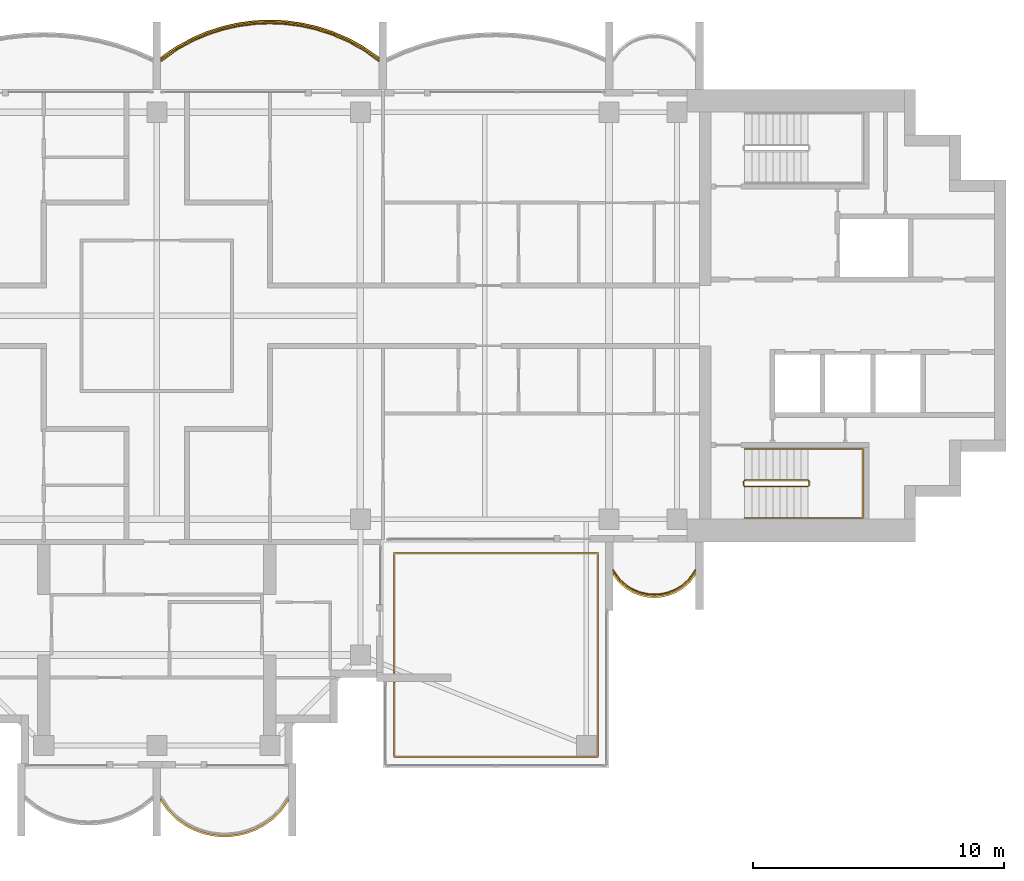
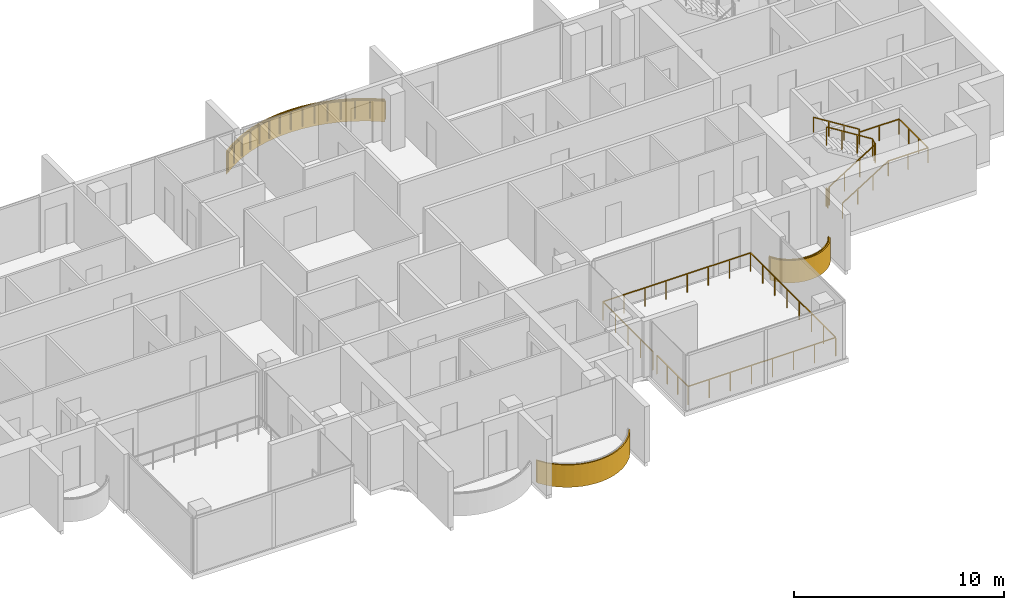
# One storey, part 15 of 16: 5 railings, 3 coverings.
"""IFC4 building model written with IfcOpenShell, lengths in metres."""

from ifc_helpers import new_model, si_unit, direction, frame, origin, origin_2d, place, context, subcontext, project, spatial, polyline, rectangle, outline, extrude, material, layer, layer_set, type_object, element, save


model = new_model("IFC4")

# Units and contexts
model_context = context("Model", 3, precision=1e-05, world=origin(), true_north=direction((0.0, 1.0)))
body_context = subcontext(model_context, "Body", "Model", "MODEL_VIEW")
ifc_project = project(units=[si_unit("LENGTHUNIT", "METRE"), si_unit("AREAUNIT", "SQUARE_METRE"), si_unit("VOLUMEUNIT", "CUBIC_METRE"), si_unit("PLANEANGLEUNIT", "RADIAN"), si_unit("MASSUNIT", "GRAM", prefix="KILO")], contexts=[model_context])

# Site, building, storey
site_placement = place(None, origin())
site = spatial("IfcSite", under=ifc_project, at=site_placement, CompositionType="ELEMENT")
building_placement = place(site_placement, origin())
building = spatial("IfcBuilding", under=site, at=building_placement, Name="Perihelion Cross Residences", CompositionType="ELEMENT")
storey_placement = place(building_placement, frame((0.0, 0.0, 243.0)))
storey = spatial("IfcBuildingStorey", under=building, at=storey_placement, Name="L61", CompositionType="ELEMENT", Elevation=243.0)

# Coverings
ifc_material_1 = material(Name="Bronze anodised aluminium", Category="aluminium")
ifc_layer = layer(ifc_material_1, 0.070068359375)
ifc_layer_set = layer_set([ifc_layer], Name="Balcony fascia 1300")
covering_type = type_object("IfcCoveringType", Name="Balcony fascia 1300", PredefinedType="CLADDING", material=ifc_layer_set)
covering_1_placement = place(storey_placement, frame((0.0, 0.0, -0.199951171875)))
element("IfcCovering", 1, at=covering_1_placement, inside=storey, type_object=covering_type, Name="Fascia BF1 L61 north side east bay 1", PredefinedType="CLADDING", context=body_context, shape_type="SweptSolid", body=[
    extrude(outline(polyline([(8.265625, 10.694091796875), (7.637939453125, 11.0419921875), (7.010498046875, 11.313232421875), (6.3828125, 11.516845703125), (5.755126953125, 11.65869140625), (5.127685546875, 11.742431640625), (4.5, 11.77001953125), (3.872314453125, 11.742431640625), (3.244873046875, 11.65869140625), (2.6171875, 11.516845703125), (1.989501953125, 11.313232421875), (1.362060546875, 11.0419921875), (0.734375, 10.694091796875), (0.14990234375, 10.285400390625), (0.14990234375, 10.199951171875), (0.771484375, 10.634765625), (1.392822265625, 10.979248046875), (2.014404296875, 11.247802734375), (2.6357421875, 11.44921875), (3.257080078125, 11.589599609375), (3.878662109375, 11.672607421875), (4.5, 11.699951171875), (5.121337890625, 11.672607421875), (5.742919921875, 11.589599609375), (6.3642578125, 11.44921875), (6.985595703125, 11.247802734375), (7.607177734375, 10.979248046875), (8.228515625, 10.634765625), (8.85009765625, 10.199951171875), (8.85009765625, 10.285400390625), (8.265625, 10.694091796875)])), origin(), (0.0, 0.0, 1.0), 1.300048828125),
])
covering_2_placement = place(storey_placement, frame((0.0, 0.0, -0.199951171875)))
element("IfcCovering", 2, at=covering_2_placement, inside=storey, type_object=covering_type, Name="Fascia BF1 L61 south tip south bay 2", PredefinedType="CLADDING", context=body_context, shape_type="SweptSolid", body=[
    extrude(outline(polyline([(0.43701171875, -19.722412109375), (0.78515625, -20.060791015625), (1.13330078125, -20.308837890625), (1.4814453125, -20.4912109375), (1.82958984375, -20.620361328125), (2.177734375, -20.703369140625), (2.52587890625, -20.743896484375), (2.8740234375, -20.743896484375), (3.22216796875, -20.703369140625), (3.5703125, -20.620361328125), (3.91845703125, -20.4912109375), (4.2666015625, -20.308837890625), (4.61474609375, -20.060791015625), (4.963134765625, -19.722412109375), (5.25, -19.320556640625), (5.25, -19.199951171875), (4.909912109375, -19.6767578125), (4.570068359375, -20.007080078125), (4.22998046875, -20.2490234375), (3.889892578125, -20.42724609375), (3.550048828125, -20.553466796875), (3.2099609375, -20.63427734375), (2.8701171875, -20.674072265625), (2.530029296875, -20.674072265625), (2.18994140625, -20.63427734375), (1.85009765625, -20.553466796875), (1.510009765625, -20.42724609375), (1.169921875, -20.2490234375), (0.830078125, -20.007080078125), (0.489990234375, -19.6767578125), (0.14990234375, -19.199951171875), (0.14990234375, -19.320556640625), (0.43701171875, -19.722412109375)])), origin(), (0.0, 0.0, 1.0), 1.300048828125),
])
covering_3_placement = place(storey_placement, frame((0.0, 0.0, -0.199951171875)))
element("IfcCovering", 3, at=covering_3_placement, inside=storey, type_object=covering_type, Name="Fascia BF1 L61 east side south bay 2", PredefinedType="CLADDING", context=body_context, shape_type="SweptSolid", body=[
    extrude(outline(polyline([(18.373779296875, -10.616455078125), (18.6591796875, -10.86328125), (18.9443359375, -11.031494140625), (19.229736328125, -11.142578125), (19.514892578125, -11.206298828125), (19.800048828125, -11.22705078125), (20.085205078125, -11.206298828125), (20.370361328125, -11.142578125), (20.655517578125, -11.031494140625), (20.94091796875, -10.86328125), (21.226318359375, -10.616455078125), (21.449951171875, -10.31689453125), (21.449951171875, -10.199951171875), (21.175048828125, -10.568603515625), (20.89990234375, -10.806396484375), (20.625, -10.96875), (20.35009765625, -11.07568359375), (20.074951171875, -11.136962890625), (19.800048828125, -11.156982421875), (19.52490234375, -11.136962890625), (19.25, -11.07568359375), (18.97509765625, -10.96875), (18.699951171875, -10.806396484375), (18.425048828125, -10.568603515625), (18.14990234375, -10.199951171875), (18.14990234375, -10.31689453125), (18.373779296875, -10.616455078125)])), origin(), (0.0, 0.0, 1.0), 1.300048828125),
])

# Railings
ifc_material_2 = material(Name="Bronze anodised aluminium", Category="aluminium")
railing_type_1 = type_object("IfcRailingType", Name="Balcony guard 1100", PredefinedType="GUARDRAIL", material=ifc_material_2)
railing_1_placement = place(storey_placement, frame((8.824951171875, 10.139892578125, 0.0)))
element("IfcRailing", 4, at=railing_1_placement, inside=storey, type_object=railing_type_1, Name="Guard GU1 L61 north side east bay 1 balcony", PredefinedType="GUARDRAIL", context=body_context, shape_type="SweptSolid", body=[
    extrude(rectangle(XDim=0.048095703125, YDim=0.048095703125, at=origin_2d()), frame((0.0, 0.0, 1.076171875), z_axis=(-0.808063294873, 0.589095672603, 0.0), x_axis=(-0.589095672603, -0.808063294873, 0.0)), (0.0, 0.0, 1.0), 0.738037109375),
    extrude(rectangle(XDim=0.048095703125, YDim=0.048095703125, at=origin_2d()), frame((-0.596435546875, 0.434814453125, 1.076171875), z_axis=(-0.874578399268, 0.484884134133, 0.0), x_axis=(-0.484884134133, -0.874578399268, 0.0)), (0.0, 0.0, 1.0), 0.71044921875),
    extrude(rectangle(XDim=0.048095703125, YDim=0.048095703125, at=origin_2d()), frame((-1.2177734375, 0.779296875, 1.076171875), z_axis=(-0.917984792895, 0.396615582162, 0.0), x_axis=(-0.396615582162, -0.917984792895, 0.0)), (0.0, 0.0, 1.0), 0.677001953125),
    extrude(rectangle(XDim=0.048095703125, YDim=0.048095703125, at=origin_2d()), frame((-1.83935546875, 1.0478515625, 1.076171875), z_axis=(-0.951157585372, 0.308705762482, 0.0), x_axis=(-0.308705762482, -0.951157585372, 0.0)), (0.0, 0.0, 1.0), 0.6533203125),
    extrude(rectangle(XDim=0.048095703125, YDim=0.048095703125, at=origin_2d()), frame((-2.460693359375, 1.24951171875, 1.076171875), z_axis=(-0.975414431917, 0.220378506229, 0.0), x_axis=(-0.220378506229, -0.975414431917, 0.0)), (0.0, 0.0, 1.0), 0.636962890625),
    extrude(rectangle(XDim=0.048095703125, YDim=0.048095703125, at=origin_2d()), frame((-3.08203125, 1.389892578125, 1.076171875), z_axis=(-0.991251686862, 0.131985201039, 0.0), x_axis=(-0.131985201039, -0.991251686862, 0.0)), (0.0, 0.0, 1.0), 0.626953125),
    extrude(rectangle(XDim=0.048095703125, YDim=0.048095703125, at=origin_2d()), frame((-3.70361328125, 1.47265625, 1.076171875), z_axis=(-0.999033058467, 0.04396530552, 0.0), x_axis=(-0.04396530552, -0.999033058467, 0.0)), (0.0, 0.0, 1.0), 0.621826171875),
    extrude(rectangle(XDim=0.048095703125, YDim=0.048095703125, at=origin_2d()), frame((-4.324951171875, 1.5, 1.076171875), z_axis=(-0.999033058467, -0.04396530552, 0.0), x_axis=(0.04396530552, -0.999033058467, 0.0)), (0.0, 0.0, 1.0), 0.621826171875),
    extrude(rectangle(XDim=0.048095703125, YDim=0.048095703125, at=origin_2d()), frame((-4.9462890625, 1.47265625, 1.076171875), z_axis=(-0.991251686862, -0.131985201039, 0.0), x_axis=(0.131985201039, -0.991251686862, 0.0)), (0.0, 0.0, 1.0), 0.626953125),
    extrude(rectangle(XDim=0.048095703125, YDim=0.048095703125, at=origin_2d()), frame((-5.56787109375, 1.389892578125, 1.076171875), z_axis=(-0.975414431917, -0.220378506229, 0.0), x_axis=(0.220378506229, -0.975414431917, 0.0)), (0.0, 0.0, 1.0), 0.636962890625),
    extrude(rectangle(XDim=0.048095703125, YDim=0.048095703125, at=origin_2d()), frame((-6.189208984375, 1.24951171875, 1.076171875), z_axis=(-0.951157585372, -0.308705762482, 0.0), x_axis=(0.308705762482, -0.951157585372, 0.0)), (0.0, 0.0, 1.0), 0.6533203125),
    extrude(rectangle(XDim=0.048095703125, YDim=0.048095703125, at=origin_2d()), frame((-6.810546875, 1.0478515625, 1.076171875), z_axis=(-0.917984792895, -0.396615582162, 0.0), x_axis=(0.396615582162, -0.917984792895, 0.0)), (0.0, 0.0, 1.0), 0.677001953125),
    extrude(rectangle(XDim=0.048095703125, YDim=0.048095703125, at=origin_2d()), frame((-7.43212890625, 0.779296875, 1.076171875), z_axis=(-0.874578399268, -0.484884134133, 0.0), x_axis=(0.484884134133, -0.874578399268, 0.0)), (0.0, 0.0, 1.0), 0.71044921875),
    extrude(rectangle(XDim=0.048095703125, YDim=0.048095703125, at=origin_2d()), frame((-8.053466796875, 0.434814453125, 1.076171875), z_axis=(-0.808063294873, -0.589095672603, 0.0), x_axis=(0.589095672603, -0.808063294873, 0.0)), (0.0, 0.0, 1.0), 0.738037109375),
    extrude(rectangle(XDim=0.0419921875, YDim=0.0419921875, at=origin_2d()), origin(), (0.0, 0.0, 1.0), 1.052001953125),
    extrude(rectangle(XDim=0.0419921875, YDim=0.0419921875, at=origin_2d()), frame((-0.596435546875, 0.434814453125, 0.0)), (0.0, 0.0, 1.0), 1.052001953125),
    extrude(rectangle(XDim=0.0419921875, YDim=0.0419921875, at=origin_2d()), frame((-1.2177734375, 0.779296875, 0.0)), (0.0, 0.0, 1.0), 1.052001953125),
    extrude(rectangle(XDim=0.0419921875, YDim=0.0419921875, at=origin_2d()), frame((-1.83935546875, 1.0478515625, 0.0)), (0.0, 0.0, 1.0), 1.052001953125),
    extrude(rectangle(XDim=0.0419921875, YDim=0.0419921875, at=origin_2d()), frame((-2.460693359375, 1.24951171875, 0.0)), (0.0, 0.0, 1.0), 1.052001953125),
    extrude(rectangle(XDim=0.0419921875, YDim=0.0419921875, at=origin_2d()), frame((-3.08203125, 1.389892578125, 0.0)), (0.0, 0.0, 1.0), 1.052001953125),
    extrude(rectangle(XDim=0.0419921875, YDim=0.0419921875, at=origin_2d()), frame((-3.70361328125, 1.47265625, 0.0)), (0.0, 0.0, 1.0), 1.052001953125),
    extrude(rectangle(XDim=0.0419921875, YDim=0.0419921875, at=origin_2d()), frame((-4.324951171875, 1.5, 0.0)), (0.0, 0.0, 1.0), 1.052001953125),
    extrude(rectangle(XDim=0.0419921875, YDim=0.0419921875, at=origin_2d()), frame((-4.9462890625, 1.47265625, 0.0)), (0.0, 0.0, 1.0), 1.052001953125),
    extrude(rectangle(XDim=0.0419921875, YDim=0.0419921875, at=origin_2d()), frame((-5.56787109375, 1.389892578125, 0.0)), (0.0, 0.0, 1.0), 1.052001953125),
    extrude(rectangle(XDim=0.0419921875, YDim=0.0419921875, at=origin_2d()), frame((-6.189208984375, 1.24951171875, 0.0)), (0.0, 0.0, 1.0), 1.052001953125),
    extrude(rectangle(XDim=0.0419921875, YDim=0.0419921875, at=origin_2d()), frame((-6.810546875, 1.0478515625, 0.0)), (0.0, 0.0, 1.0), 1.052001953125),
    extrude(rectangle(XDim=0.0419921875, YDim=0.0419921875, at=origin_2d()), frame((-7.43212890625, 0.779296875, 0.0)), (0.0, 0.0, 1.0), 1.052001953125),
    extrude(rectangle(XDim=0.0419921875, YDim=0.0419921875, at=origin_2d()), frame((-8.053466796875, 0.434814453125, 0.0)), (0.0, 0.0, 1.0), 1.052001953125),
    extrude(rectangle(XDim=0.0419921875, YDim=0.0419921875, at=origin_2d()), frame((-8.64990234375, 0.0, 0.0)), (0.0, 0.0, 1.0), 1.052001953125),
])
railing_2_placement = place(storey_placement, frame((18.175048828125, -10.139892578125, 0.0)))
element("IfcRailing", 5, at=railing_2_placement, inside=storey, type_object=railing_type_1, Name="Guard GU1 L61 east side south bay 2 balcony", PredefinedType="GUARDRAIL", context=body_context, shape_type="SweptSolid", body=[
    extrude(rectangle(XDim=0.048095703125, YDim=0.048095703125, at=origin_2d()), frame((0.0, 0.0, 1.076171875), z_axis=(0.561260132269, -0.827639452857, 0.0), x_axis=(0.827639452857, 0.561260132269, 0.0)), (0.0, 0.0, 1.0), 0.4453125),
    extrude(rectangle(XDim=0.048095703125, YDim=0.048095703125, at=origin_2d()), frame((0.25, -0.36865234375, 1.076171875), z_axis=(0.756309278473, -0.654214242658, 0.0), x_axis=(0.654214242658, 0.756309278473, 0.0)), (0.0, 0.0, 1.0), 0.363525390625),
    extrude(rectangle(XDim=0.048095703125, YDim=0.048095703125, at=origin_2d()), frame((0.52490234375, -0.6064453125, 1.076171875), z_axis=(0.861245845072, -0.508188542123, 0.0), x_axis=(0.508188542123, 0.861245845072, 0.0)), (0.0, 0.0, 1.0), 0.319580078125),
    extrude(rectangle(XDim=0.048095703125, YDim=0.048095703125, at=origin_2d()), frame((0.800048828125, -0.768798828125, 1.076171875), z_axis=(0.931973602183, -0.362526143656, 0.0), x_axis=(0.362526143656, 0.931973602183, 0.0)), (0.0, 0.0, 1.0), 0.294921875),
    extrude(rectangle(XDim=0.048095703125, YDim=0.048095703125, at=origin_2d()), frame((1.074951171875, -0.875732421875, 1.076171875), z_axis=(0.976044077717, -0.217572880557, 0.0), x_axis=(0.217572880557, 0.976044077717, 0.0)), (0.0, 0.0, 1.0), 0.28173828125),
    extrude(rectangle(XDim=0.048095703125, YDim=0.048095703125, at=origin_2d()), frame((1.349853515625, -0.93701171875, 1.076171875), z_axis=(0.997363488337, -0.072567707226, 0.0), x_axis=(0.072567707226, 0.997363488337, 0.0)), (0.0, 0.0, 1.0), 0.27587890625),
    extrude(rectangle(XDim=0.048095703125, YDim=0.048095703125, at=origin_2d()), frame((1.625, -0.95703125, 1.076171875), z_axis=(0.997358821833, 0.072631814734, 0.0), x_axis=(-0.072631814734, 0.997358821833, 0.0)), (0.0, 0.0, 1.0), 0.275634765625),
    extrude(rectangle(XDim=0.048095703125, YDim=0.048095703125, at=origin_2d()), frame((1.89990234375, -0.93701171875, 1.076171875), z_axis=(0.976085059389, 0.21738895289, 0.0), x_axis=(-0.21738895289, 0.976085059389, 0.0)), (0.0, 0.0, 1.0), 0.281982421875),
    extrude(rectangle(XDim=0.048095703125, YDim=0.048095703125, at=origin_2d()), frame((2.175048828125, -0.875732421875, 1.076171875), z_axis=(0.931973602183, 0.362526143656, 0.0), x_axis=(-0.362526143656, 0.931973602183, 0.0)), (0.0, 0.0, 1.0), 0.294921875),
    extrude(rectangle(XDim=0.048095703125, YDim=0.048095703125, at=origin_2d()), frame((2.449951171875, -0.768798828125, 1.076171875), z_axis=(0.861048292884, 0.508523192511, 0.0), x_axis=(-0.508523192511, 0.861048292884, 0.0)), (0.0, 0.0, 1.0), 0.3193359375),
    extrude(rectangle(XDim=0.048095703125, YDim=0.048095703125, at=origin_2d()), frame((2.724853515625, -0.6064453125, 1.076171875), z_axis=(0.756596535164, 0.653882009982, 0.0), x_axis=(-0.653882009982, 0.756596535164, 0.0)), (0.0, 0.0, 1.0), 0.36376953125),
    extrude(rectangle(XDim=0.048095703125, YDim=0.048095703125, at=origin_2d()), frame((3.0, -0.36865234375, 1.076171875), z_axis=(0.561260132269, 0.827639452857, 0.0), x_axis=(-0.827639452857, 0.561260132269, 0.0)), (0.0, 0.0, 1.0), 0.4453125),
    extrude(rectangle(XDim=0.0419921875, YDim=0.0419921875, at=origin_2d()), origin(), (0.0, 0.0, 1.0), 1.052001953125),
    extrude(rectangle(XDim=0.0419921875, YDim=0.0419921875, at=origin_2d()), frame((0.25, -0.36865234375, 0.0)), (0.0, 0.0, 1.0), 1.052001953125),
    extrude(rectangle(XDim=0.0419921875, YDim=0.0419921875, at=origin_2d()), frame((0.52490234375, -0.6064453125, 0.0)), (0.0, 0.0, 1.0), 1.052001953125),
    extrude(rectangle(XDim=0.0419921875, YDim=0.0419921875, at=origin_2d()), frame((0.800048828125, -0.768798828125, 0.0)), (0.0, 0.0, 1.0), 1.052001953125),
    extrude(rectangle(XDim=0.0419921875, YDim=0.0419921875, at=origin_2d()), frame((1.074951171875, -0.875732421875, 0.0)), (0.0, 0.0, 1.0), 1.052001953125),
    extrude(rectangle(XDim=0.0419921875, YDim=0.0419921875, at=origin_2d()), frame((1.349853515625, -0.93701171875, 0.0)), (0.0, 0.0, 1.0), 1.052001953125),
    extrude(rectangle(XDim=0.0419921875, YDim=0.0419921875, at=origin_2d()), frame((1.625, -0.95703125, 0.0)), (0.0, 0.0, 1.0), 1.052001953125),
    extrude(rectangle(XDim=0.0419921875, YDim=0.0419921875, at=origin_2d()), frame((1.89990234375, -0.93701171875, 0.0)), (0.0, 0.0, 1.0), 1.052001953125),
    extrude(rectangle(XDim=0.0419921875, YDim=0.0419921875, at=origin_2d()), frame((2.175048828125, -0.875732421875, 0.0)), (0.0, 0.0, 1.0), 1.052001953125),
    extrude(rectangle(XDim=0.0419921875, YDim=0.0419921875, at=origin_2d()), frame((2.449951171875, -0.768798828125, 0.0)), (0.0, 0.0, 1.0), 1.052001953125),
    extrude(rectangle(XDim=0.0419921875, YDim=0.0419921875, at=origin_2d()), frame((2.724853515625, -0.6064453125, 0.0)), (0.0, 0.0, 1.0), 1.052001953125),
    extrude(rectangle(XDim=0.0419921875, YDim=0.0419921875, at=origin_2d()), frame((3.0, -0.36865234375, 0.0)), (0.0, 0.0, 1.0), 1.052001953125),
    extrude(rectangle(XDim=0.0419921875, YDim=0.0419921875, at=origin_2d()), frame((3.25, 0.0, 0.0)), (0.0, 0.0, 1.0), 1.052001953125),
])
railing_3_placement = place(storey_placement, frame((9.449951171875, -14.2099609375, 0.0)))
element("IfcRailing", 6, at=railing_3_placement, inside=storey, type_object=railing_type_1, Name="Guard GU1 L61 pocket south-east 1", PredefinedType="GUARDRAIL", context=body_context, shape_type="SweptSolid", body=[
    extrude(rectangle(XDim=0.048095703125, YDim=0.048095703125, at=origin_2d()), frame((0.0, 0.0, 1.076171875), z_axis=(0.0, 1.0, 0.0), x_axis=(-1.0, 0.0, 0.0)), (0.0, 0.0, 1.0), 4.760009765625),
    extrude(rectangle(XDim=0.048095703125, YDim=0.048095703125, at=origin_2d()), frame((0.0, 4.760009765625, 1.076171875), z_axis=(1.0, 0.0, 0.0), x_axis=(0.0, 1.0, 0.0)), (0.0, 0.0, 1.0), 8.10009765625),
    extrude(rectangle(XDim=0.048095703125, YDim=0.048095703125, at=origin_2d()), frame((8.10009765625, 4.760009765625, 1.076171875), z_axis=(0.0, -1.0, 0.0), x_axis=(1.0, 0.0, 0.0)), (0.0, 0.0, 1.0), 8.10009765625),
    extrude(rectangle(XDim=0.048095703125, YDim=0.048095703125, at=origin_2d()), frame((8.10009765625, -3.340087890625, 1.076171875), z_axis=(-1.0, 0.0, 0.0), x_axis=(0.0, -1.0, 0.0)), (0.0, 0.0, 1.0), 8.10009765625),
    extrude(rectangle(XDim=0.048095703125, YDim=0.048095703125, at=origin_2d()), frame((0.0, -3.340087890625, 1.076171875), z_axis=(0.0, 1.0, 0.0), x_axis=(-1.0, 0.0, 0.0)), (0.0, 0.0, 1.0), 2.9599609375),
    extrude(rectangle(XDim=0.0419921875, YDim=0.0419921875, at=origin_2d()), origin(), (0.0, 0.0, 1.0), 1.052001953125),
    extrude(rectangle(XDim=0.0419921875, YDim=0.0419921875, at=origin_2d()), frame((0.0, 1.18994140625, 0.0)), (0.0, 0.0, 1.0), 1.052001953125),
    extrude(rectangle(XDim=0.0419921875, YDim=0.0419921875, at=origin_2d()), frame((0.0, 2.3798828125, 0.0)), (0.0, 0.0, 1.0), 1.052001953125),
    extrude(rectangle(XDim=0.0419921875, YDim=0.0419921875, at=origin_2d()), frame((0.0, 3.570068359375, 0.0)), (0.0, 0.0, 1.0), 1.052001953125),
    extrude(rectangle(XDim=0.0419921875, YDim=0.0419921875, at=origin_2d()), frame((0.0, 4.760009765625, 0.0)), (0.0, 0.0, 1.0), 1.052001953125),
    extrude(rectangle(XDim=0.0419921875, YDim=0.0419921875, at=origin_2d()), frame((1.1572265625, 4.760009765625, 0.0)), (0.0, 0.0, 1.0), 1.052001953125),
    extrude(rectangle(XDim=0.0419921875, YDim=0.0419921875, at=origin_2d()), frame((2.314208984375, 4.760009765625, 0.0)), (0.0, 0.0, 1.0), 1.052001953125),
    extrude(rectangle(XDim=0.0419921875, YDim=0.0419921875, at=origin_2d()), frame((3.471435546875, 4.760009765625, 0.0)), (0.0, 0.0, 1.0), 1.052001953125),
    extrude(rectangle(XDim=0.0419921875, YDim=0.0419921875, at=origin_2d()), frame((4.628662109375, 4.760009765625, 0.0)), (0.0, 0.0, 1.0), 1.052001953125),
    extrude(rectangle(XDim=0.0419921875, YDim=0.0419921875, at=origin_2d()), frame((5.785888671875, 4.760009765625, 0.0)), (0.0, 0.0, 1.0), 1.052001953125),
    extrude(rectangle(XDim=0.0419921875, YDim=0.0419921875, at=origin_2d()), frame((6.94287109375, 4.760009765625, 0.0)), (0.0, 0.0, 1.0), 1.052001953125),
    extrude(rectangle(XDim=0.0419921875, YDim=0.0419921875, at=origin_2d()), frame((8.10009765625, 4.760009765625, 0.0)), (0.0, 0.0, 1.0), 1.052001953125),
    extrude(rectangle(XDim=0.0419921875, YDim=0.0419921875, at=origin_2d()), frame((8.10009765625, 3.602783203125, 0.0)), (0.0, 0.0, 1.0), 1.052001953125),
    extrude(rectangle(XDim=0.0419921875, YDim=0.0419921875, at=origin_2d()), frame((8.10009765625, 2.44580078125, 0.0)), (0.0, 0.0, 1.0), 1.052001953125),
    extrude(rectangle(XDim=0.0419921875, YDim=0.0419921875, at=origin_2d()), frame((8.10009765625, 1.28857421875, 0.0)), (0.0, 0.0, 1.0), 1.052001953125),
    extrude(rectangle(XDim=0.0419921875, YDim=0.0419921875, at=origin_2d()), frame((8.10009765625, 0.13134765625, 0.0)), (0.0, 0.0, 1.0), 1.052001953125),
    extrude(rectangle(XDim=0.0419921875, YDim=0.0419921875, at=origin_2d()), frame((8.10009765625, -1.02587890625, 0.0)), (0.0, 0.0, 1.0), 1.052001953125),
    extrude(rectangle(XDim=0.0419921875, YDim=0.0419921875, at=origin_2d()), frame((8.10009765625, -2.182861328125, 0.0)), (0.0, 0.0, 1.0), 1.052001953125),
    extrude(rectangle(XDim=0.0419921875, YDim=0.0419921875, at=origin_2d()), frame((8.10009765625, -3.340087890625, 0.0)), (0.0, 0.0, 1.0), 1.052001953125),
    extrude(rectangle(XDim=0.0419921875, YDim=0.0419921875, at=origin_2d()), frame((6.94287109375, -3.340087890625, 0.0)), (0.0, 0.0, 1.0), 1.052001953125),
    extrude(rectangle(XDim=0.0419921875, YDim=0.0419921875, at=origin_2d()), frame((5.785888671875, -3.340087890625, 0.0)), (0.0, 0.0, 1.0), 1.052001953125),
    extrude(rectangle(XDim=0.0419921875, YDim=0.0419921875, at=origin_2d()), frame((4.628662109375, -3.340087890625, 0.0)), (0.0, 0.0, 1.0), 1.052001953125),
    extrude(rectangle(XDim=0.0419921875, YDim=0.0419921875, at=origin_2d()), frame((3.471435546875, -3.340087890625, 0.0)), (0.0, 0.0, 1.0), 1.052001953125),
    extrude(rectangle(XDim=0.0419921875, YDim=0.0419921875, at=origin_2d()), frame((2.314208984375, -3.340087890625, 0.0)), (0.0, 0.0, 1.0), 1.052001953125),
    extrude(rectangle(XDim=0.0419921875, YDim=0.0419921875, at=origin_2d()), frame((1.1572265625, -3.340087890625, 0.0)), (0.0, 0.0, 1.0), 1.052001953125),
    extrude(rectangle(XDim=0.0419921875, YDim=0.0419921875, at=origin_2d()), frame((0.0, -3.340087890625, 0.0)), (0.0, 0.0, 1.0), 1.052001953125),
    extrude(rectangle(XDim=0.0419921875, YDim=0.0419921875, at=origin_2d()), frame((0.0, -2.353515625, 0.0)), (0.0, 0.0, 1.0), 1.052001953125),
    extrude(rectangle(XDim=0.0419921875, YDim=0.0419921875, at=origin_2d()), frame((0.0, -1.36669921875, 0.0)), (0.0, 0.0, 1.0), 1.052001953125),
    extrude(rectangle(XDim=0.0419921875, YDim=0.0419921875, at=origin_2d()), frame((0.0, -0.380126953125, 0.0)), (0.0, 0.0, 1.0), 1.052001953125),
])
ifc_material_3 = material(Name="Stainless steel", Category="steel")
railing_type_2 = type_object("IfcRailingType", Name="Stair guard 1100", PredefinedType="GUARDRAIL", material=ifc_material_3)
railing_4_placement = place(storey_placement, frame((23.35009765625, -6.60009765625, 0.0)))
element("IfcRailing", 7, at=railing_4_placement, inside=storey, type_object=railing_type_2, Name="L61 ST-E2 stair guard 1", PredefinedType="GUARDRAIL", context=body_context, shape_type="SweptSolid", body=[
    extrude(rectangle(XDim=0.048095703125, YDim=0.048095703125, at=origin_2d()), frame((0.0, 0.0, 1.076171875), z_axis=(0.0, -1.0, 0.0), x_axis=(1.0, 0.0, 0.0)), (0.0, 0.0, 1.0), 0.14990234375),
    extrude(rectangle(XDim=0.048095703125, YDim=0.048095703125, at=origin_2d()), frame((0.0, -0.14990234375, 1.076171875), z_axis=(0.263862480399, -0.265155923931, 0.927399011991), x_axis=(0.708833529934, 0.705375805398, 0.0)), (0.0, 0.0, 1.0), 0.188720703125),
    extrude(rectangle(XDim=0.048095703125, YDim=0.048095703125, at=origin_2d()), frame((0.0498046875, -0.199951171875, 1.2509765625), z_axis=(0.848007534815, 0.0, 0.529984170421), x_axis=(0.0, 1.0, 0.0)), (0.0, 0.0, 1.0), 2.9716796875),
    extrude(rectangle(XDim=0.048095703125, YDim=0.048095703125, at=origin_2d()), frame((2.56982421875, -0.199951171875, 2.826171875), z_axis=(0.707106781187, 0.707106781187, 0.0), x_axis=(-0.707106781187, 0.707106781187, 0.0)), (0.0, 0.0, 1.0), 0.07080078125),
    extrude(rectangle(XDim=0.048095703125, YDim=0.048095703125, at=origin_2d()), frame((2.619873046875, -0.14990234375, 2.826171875), z_axis=(0.0, 1.0, 0.0), x_axis=(-1.0, 0.0, 0.0)), (0.0, 0.0, 1.0), 0.14990234375),
    extrude(rectangle(XDim=0.048095703125, YDim=0.048095703125, at=origin_2d()), frame((2.619873046875, 0.0, 2.826171875), z_axis=(-0.265065253269, 0.265065253269, 0.927081885822), x_axis=(-0.707106781187, -0.707106781187, 0.0)), (0.0, 0.0, 1.0), 0.188720703125),
    extrude(rectangle(XDim=0.048095703125, YDim=0.048095703125, at=origin_2d()), frame((2.56982421875, 0.050048828125, 3.0009765625), z_axis=(-0.848007534815, 0.0, 0.529984170421), x_axis=(0.0, -1.0, 0.0)), (0.0, 0.0, 1.0), 2.9716796875),
    extrude(rectangle(XDim=0.0419921875, YDim=0.0419921875, at=origin_2d()), origin(), (0.0, 0.0, 1.0), 1.052001953125),
    extrude(rectangle(XDim=0.0419921875, YDim=0.0419921875, at=origin_2d()), frame((0.0, -0.14990234375, 0.0)), (0.0, 0.0, 1.0), 1.052001953125),
    extrude(rectangle(XDim=0.0419921875, YDim=0.0419921875, at=origin_2d()), frame((0.0498046875, -0.199951171875, 0.175048828125)), (0.0, 0.0, 1.0), 1.052001953125),
    extrude(rectangle(XDim=0.0419921875, YDim=0.0419921875, at=origin_2d()), frame((0.889892578125, -0.199951171875, 0.699951171875)), (0.0, 0.0, 1.0), 1.052001953125),
    extrude(rectangle(XDim=0.0419921875, YDim=0.0419921875, at=origin_2d()), frame((1.729736328125, -0.199951171875, 1.22509765625)), (0.0, 0.0, 1.0), 1.052001953125),
    extrude(rectangle(XDim=0.0419921875, YDim=0.0419921875, at=origin_2d()), frame((2.56982421875, -0.199951171875, 1.75)), (0.0, 0.0, 1.0), 1.052001953125),
    extrude(rectangle(XDim=0.0419921875, YDim=0.0419921875, at=origin_2d()), frame((2.619873046875, -0.14990234375, 1.75)), (0.0, 0.0, 1.0), 1.052001953125),
    extrude(rectangle(XDim=0.0419921875, YDim=0.0419921875, at=origin_2d()), frame((2.619873046875, 0.0, 1.75)), (0.0, 0.0, 1.0), 1.052001953125),
    extrude(rectangle(XDim=0.0419921875, YDim=0.0419921875, at=origin_2d()), frame((2.56982421875, 0.050048828125, 1.925048828125)), (0.0, 0.0, 1.0), 1.052001953125),
    extrude(rectangle(XDim=0.0419921875, YDim=0.0419921875, at=origin_2d()), frame((1.729736328125, 0.050048828125, 2.449951171875)), (0.0, 0.0, 1.0), 1.052001953125),
    extrude(rectangle(XDim=0.0419921875, YDim=0.0419921875, at=origin_2d()), frame((0.889892578125, 0.050048828125, 2.97509765625)), (0.0, 0.0, 1.0), 1.052001953125),
    extrude(rectangle(XDim=0.0419921875, YDim=0.0419921875, at=origin_2d()), frame((0.0498046875, 0.050048828125, 3.5)), (0.0, 0.0, 1.0), 1.052001953125),
])
ifc_material_4 = material(Name="Stainless steel", Category="steel")
railing_type_3 = type_object("IfcRailingType", Name="Stair handrail 900", PredefinedType="HANDRAIL", material=ifc_material_4)
railing_5_placement = place(storey_placement, frame((23.39990234375, -8.050048828125, 0.175048828125)))
element("IfcRailing", 8, at=railing_5_placement, inside=storey, type_object=railing_type_3, Name="L61 ST-E2 stair handrail 1", PredefinedType="HANDRAIL", context=body_context, shape_type="SweptSolid", body=[
    extrude(rectangle(XDim=0.048095703125, YDim=0.048095703125, at=origin_2d()), frame((0.0, 0.0, 0.8759765625), z_axis=(0.848007534815, 0.0, 0.529984170421), x_axis=(0.0, 1.0, 0.0)), (0.0, 0.0, 1.0), 2.9716796875),
    extrude(rectangle(XDim=0.048095703125, YDim=0.048095703125, at=origin_2d()), frame((2.52001953125, 0.0, 2.45068359375), z_axis=(1.0, 0.0, 0.0), x_axis=(0.0, 1.0, 0.0)), (0.0, 0.0, 1.0), 2.18017578125),
    extrude(rectangle(XDim=0.048095703125, YDim=0.048095703125, at=origin_2d()), frame((4.7001953125, 0.0, 2.45068359375), z_axis=(0.0, 1.0, 0.0), x_axis=(-1.0, 0.0, 0.0)), (0.0, 0.0, 1.0), 2.75),
    extrude(rectangle(XDim=0.048095703125, YDim=0.048095703125, at=origin_2d()), frame((4.7001953125, 2.75, 2.45068359375), z_axis=(-1.0, 0.0, 0.0), x_axis=(0.0, -1.0, 0.0)), (0.0, 0.0, 1.0), 2.18017578125),
    extrude(rectangle(XDim=0.048095703125, YDim=0.048095703125, at=origin_2d()), frame((2.52001953125, 2.75, 2.45068359375), z_axis=(0.0, 0.0, 1.0), x_axis=(1.0, 0.0, 0.0)), (0.0, 0.0, 1.0), 0.175048828125),
    extrude(rectangle(XDim=0.048095703125, YDim=0.048095703125, at=origin_2d()), frame((2.52001953125, 2.75, 2.6259765625), z_axis=(-0.848007534815, 0.0, 0.529984170421), x_axis=(0.0, -1.0, 0.0)), (0.0, 0.0, 1.0), 2.9716796875),
    extrude(rectangle(XDim=0.0419921875, YDim=0.0419921875, at=origin_2d()), origin(), (0.0, 0.0, 1.0), 0.851806640625),
    extrude(rectangle(XDim=0.0419921875, YDim=0.0419921875, at=origin_2d()), frame((0.840087890625, 0.0, 0.52490234375)), (0.0, 0.0, 1.0), 0.851806640625),
    extrude(rectangle(XDim=0.0419921875, YDim=0.0419921875, at=origin_2d()), frame((1.679931640625, 0.0, 1.050048828125)), (0.0, 0.0, 1.0), 0.851806640625),
    extrude(rectangle(XDim=0.0419921875, YDim=0.0419921875, at=origin_2d()), frame((2.52001953125, 0.0, 1.574951171875)), (0.0, 0.0, 1.0), 0.851806640625),
    extrude(rectangle(XDim=0.0419921875, YDim=0.0419921875, at=origin_2d()), frame((3.610107421875, 0.0, 1.574951171875)), (0.0, 0.0, 1.0), 0.851806640625),
    extrude(rectangle(XDim=0.0419921875, YDim=0.0419921875, at=origin_2d()), frame((4.7001953125, 0.0, 1.574951171875)), (0.0, 0.0, 1.0), 0.851806640625),
    extrude(rectangle(XDim=0.0419921875, YDim=0.0419921875, at=origin_2d()), frame((4.7001953125, 0.916748046875, 1.574951171875)), (0.0, 0.0, 1.0), 0.851806640625),
    extrude(rectangle(XDim=0.0419921875, YDim=0.0419921875, at=origin_2d()), frame((4.7001953125, 1.833251953125, 1.574951171875)), (0.0, 0.0, 1.0), 0.851806640625),
    extrude(rectangle(XDim=0.0419921875, YDim=0.0419921875, at=origin_2d()), frame((4.7001953125, 2.75, 1.574951171875)), (0.0, 0.0, 1.0), 0.851806640625),
    extrude(rectangle(XDim=0.0419921875, YDim=0.0419921875, at=origin_2d()), frame((3.610107421875, 2.75, 1.574951171875)), (0.0, 0.0, 1.0), 0.851806640625),
    extrude(rectangle(XDim=0.0419921875, YDim=0.0419921875, at=origin_2d()), frame((2.52001953125, 2.75, 1.574951171875)), (0.0, 0.0, 1.0), 0.851806640625),
    extrude(rectangle(XDim=0.0419921875, YDim=0.0419921875, at=origin_2d()), frame((2.52001953125, 2.75, 1.75)), (0.0, 0.0, 1.0), 0.851806640625),
    extrude(rectangle(XDim=0.0419921875, YDim=0.0419921875, at=origin_2d()), frame((1.679931640625, 2.75, 2.27490234375)), (0.0, 0.0, 1.0), 0.851806640625),
    extrude(rectangle(XDim=0.0419921875, YDim=0.0419921875, at=origin_2d()), frame((0.840087890625, 2.75, 2.800048828125)), (0.0, 0.0, 1.0), 0.851806640625),
    extrude(rectangle(XDim=0.0419921875, YDim=0.0419921875, at=origin_2d()), frame((0.0, 2.75, 3.324951171875)), (0.0, 0.0, 1.0), 0.851806640625),
])

save(model, "model.ifc")
